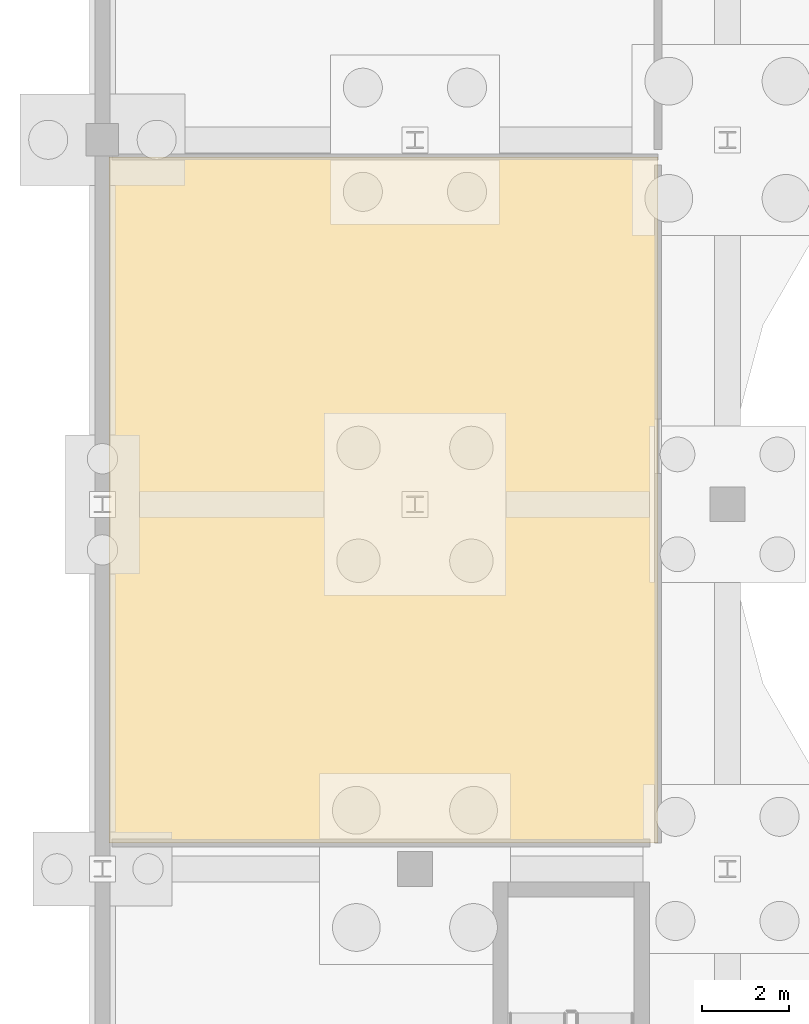
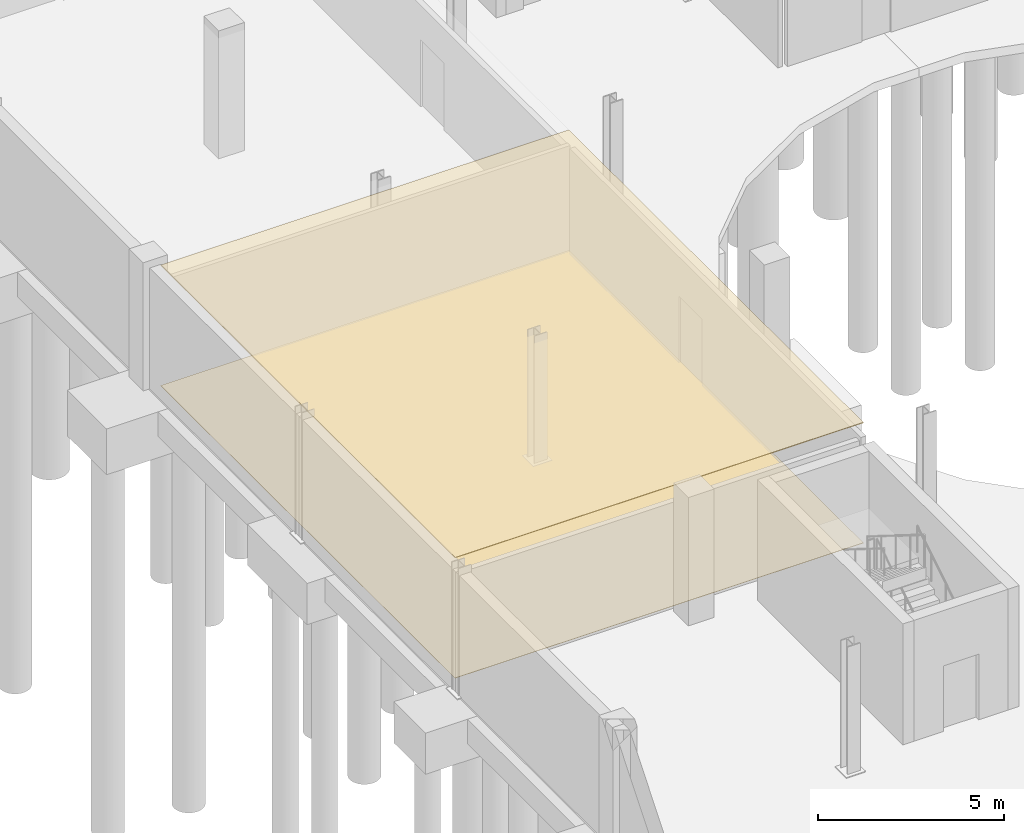
# One storey, part 28 of 32: 2 coverings.
"""IFC4 building model written with IfcOpenShell, lengths in metres."""

from ifc_helpers import new_model, si_unit, direction, frame, origin, place, context, subcontext, project, spatial, polyline, outline, extrude, material, layer, layer_set, type_object, element, save


model = new_model("IFC4")

# Units and contexts
model_context = context("Model", 3, precision=1e-05, world=origin(), true_north=direction((0.0, 1.0)))
body_context = subcontext(model_context, "Body", "Model", "MODEL_VIEW")
ifc_project = project(units=[si_unit("LENGTHUNIT", "METRE"), si_unit("AREAUNIT", "SQUARE_METRE"), si_unit("VOLUMEUNIT", "CUBIC_METRE"), si_unit("PLANEANGLEUNIT", "RADIAN"), si_unit("MASSUNIT", "GRAM", prefix="KILO")], contexts=[model_context])

# Site, building, storey
site_placement = place(None, origin())
site = spatial("IfcSite", under=ifc_project, at=site_placement, CompositionType="ELEMENT")
building_placement = place(site_placement, origin())
building = spatial("IfcBuilding", under=site, at=building_placement, Name="Qelthora Terrace Specialist Clinic", CompositionType="ELEMENT")
storey_placement = place(building_placement, frame((0.0, 0.0, -4.199951171875)))
storey = spatial("IfcBuildingStorey", under=building, at=storey_placement, Name="B1", CompositionType="ELEMENT", Elevation=-4.199951171875)

# Coverings
ifc_material_1 = material(Name="Hygienic mineral-fibre acoustic ceiling", Category="gypsum")
ifc_layer_1 = layer(ifc_material_1, 0.02490234375)
ifc_layer_set_1 = layer_set([ifc_layer_1], Name="Hygienic mineral-fibre acoustic ceiling")
covering_type_1 = type_object("IfcCoveringType", Name="COV-CEIL-ACU-25", PredefinedType="CEILING", material=ifc_layer_set_1)
covering_1_placement = place(storey_placement, frame((0.0, 0.0, 3.93505859375)))
element("IfcCovering", 1, at=covering_1_placement, inside=storey, type_object=covering_type_1, Name="Sterile Pharmacy Bulk Store B1-04 acoustic ceiling", PredefinedType="CEILING", context=body_context, shape_type="SweptSolid", body=[
    extrude(outline(polyline([(0.14990234375, 76.199951171875), (0.14990234375, 92.0), (12.800048828125, 92.0), (12.800048828125, 76.199951171875), (0.14990234375, 76.199951171875)])), origin(), (0.0, 0.0, 1.0), 0.02490234375),
])
ifc_material_2 = material(Name="Antimicrobial clinical linoleum flooring", Category="other")
ifc_layer_2 = layer(ifc_material_2, 0.011962890625)
ifc_layer_set_2 = layer_set([ifc_layer_2], Name="Antimicrobial clinical linoleum flooring")
covering_type_2 = type_object("IfcCoveringType", Name="COV-FLR-LINO-12", PredefinedType="FLOORING", material=ifc_layer_set_2)
covering_2_placement = place(storey_placement, origin())
element("IfcCovering", 2, at=covering_2_placement, inside=storey, type_object=covering_type_2, Name="Sterile Pharmacy Bulk Store B1-04 resilient linoleum flooring", PredefinedType="FLOORING", context=body_context, shape_type="SweptSolid", body=[
    extrude(outline(polyline([(0.14990234375, 76.199951171875), (0.14990234375, 92.0), (12.800048828125, 92.0), (12.800048828125, 76.199951171875), (0.14990234375, 76.199951171875)])), origin(), (0.0, 0.0, 1.0), 0.011962890625),
])

save(model, "model.ifc")
